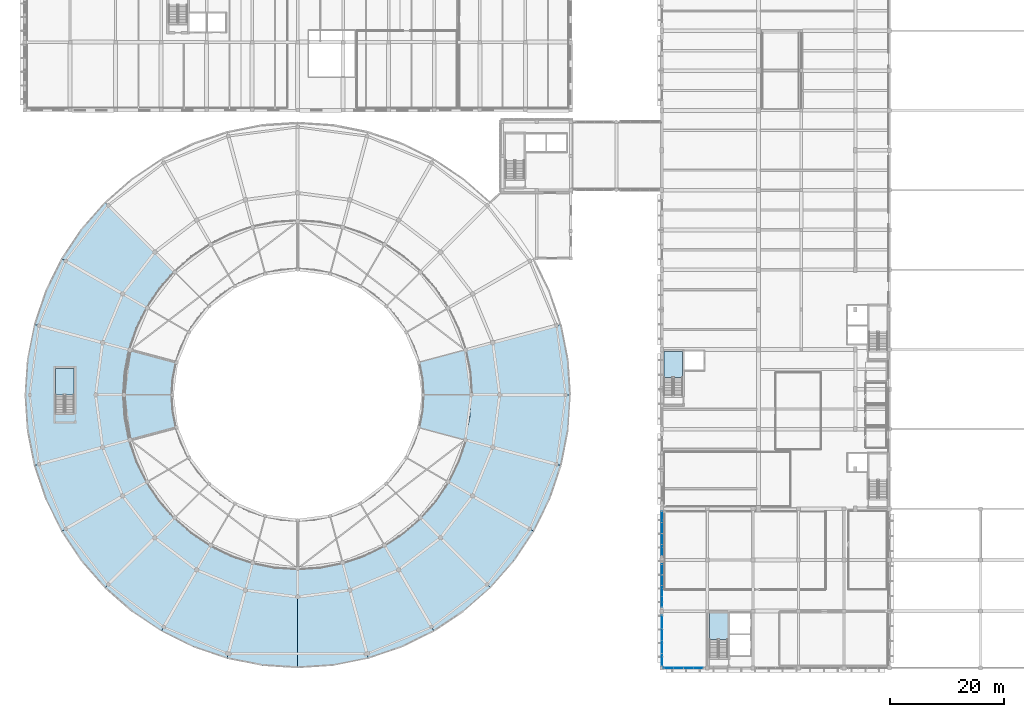
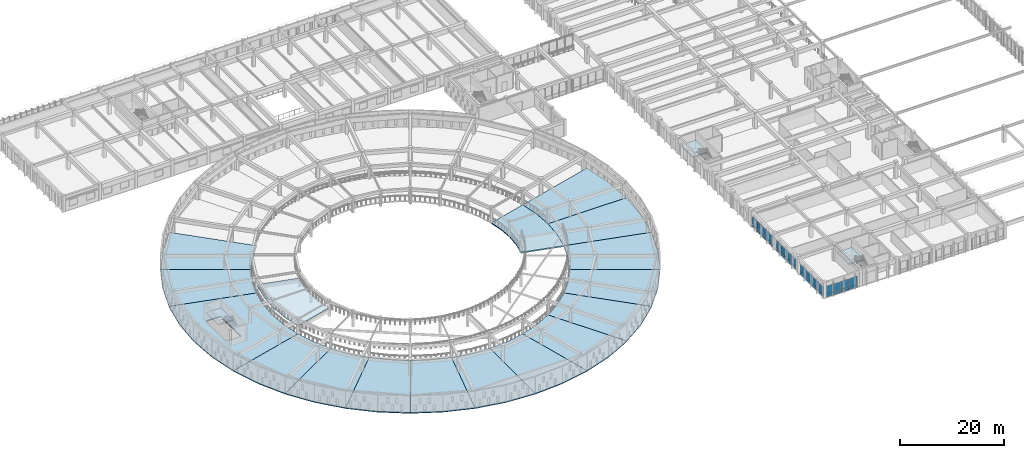
# One storey, part 47 of 98: 32 plates, 20 slabs, 7 elements without a shape of their own.
"""IFC4 building model written with IfcOpenShell, lengths in metres."""

import ifcopenshell
import ifcopenshell.guid

model = None  # the IFC model being written
_history = None  # IfcOwnerHistory: only IFC2X3 demands one
_inside = {}  # id of a spatial element -> (the spatial element, [elements in it])
_under = {}  # id of a project, library or spatial element -> (it, [spatial elements below it])
_declared = {}  # id of a project -> (the project, [libraries it declares])
_typed = {}  # id of a type object -> (the type object, [elements of that type])
_made_of = {}  # id of a material, layer set ... -> (it, [elements and type objects made of it])


def new_model(schema):
    """Start an empty IFC model of exactly this schema.

    Asked for "IFC4X3", IfcOpenShell would pick the latest addendum, in which some entities
    have other attributes; the version numbers below select the first issue.
    IFC2X3 requires an IfcOwnerHistory on every rooted entity: one is made here for all.
    """
    global model, _history
    if schema == "IFC4X3":
        model = ifcopenshell.file(schema_version=(4, 3, 0, 0))
    else:
        model = ifcopenshell.file(schema=schema)
    _inside.clear()
    _under.clear()
    _declared.clear()
    _typed.clear()
    _made_of.clear()
    _history = None
    if model.schema == "IFC2X3":
        org = make("IfcOrganization", Name="unknown")
        user = make(
            "IfcPersonAndOrganization",
            ThePerson=make("IfcPerson", FamilyName="unknown"),
            TheOrganization=org,
        )
        app = make(
            "IfcApplication",
            ApplicationDeveloper=org,
            Version="unknown",
            ApplicationFullName="unknown",
            ApplicationIdentifier="unknown",
        )
        _history = make(
            "IfcOwnerHistory",
            OwningUser=user,
            OwningApplication=app,
            ChangeAction="ADDED",
            CreationDate=0,
        )
    return model


def make(cls, **values):
    """One entity of the class cls with the attributes given. An attribute that is None is left unset."""
    return model.create_entity(
        cls, **{name: value for name, value in values.items() if value is not None}
    )


def rooted(cls, **values):
    """An entity with a GlobalId (a new one), such as an element, a storey or a relation."""
    return make(cls, GlobalId=ifcopenshell.guid.new(), OwnerHistory=_history, **values)


def si_unit(unit_type, name, prefix=None):
    """IfcSIUnit, for example si_unit("LENGTHUNIT", "METRE", prefix="MILLI")."""
    return make("IfcSIUnit", UnitType=unit_type, Prefix=prefix, Name=name)


def assignment(units):
    """IfcUnitAssignment: the units of a project."""
    return None if units is None else make("IfcUnitAssignment", Units=units)


def point(xyz):
    """IfcCartesianPoint."""
    return None if xyz is None else make("IfcCartesianPoint", Coordinates=xyz)


def direction(xyz):
    """IfcDirection."""
    return None if xyz is None else make("IfcDirection", DirectionRatios=xyz)


def frame(location, z_axis=None, x_axis=None):
    """IfcAxis2Placement3D, a coordinate frame: its origin and axes. An axis left out is left unset."""
    return make(
        "IfcAxis2Placement3D",
        Location=point(location),
        Axis=direction(z_axis),
        RefDirection=direction(x_axis),
    )


def frame_2d(location, x_axis=None):
    """IfcAxis2Placement2D, a coordinate frame in the plane: its origin and x axis."""
    return make(
        "IfcAxis2Placement2D", Location=point(location), RefDirection=direction(x_axis)
    )


def origin():
    """The frame at (0, 0, 0) with its axes left unset."""
    return frame((0.0, 0.0, 0.0))


def origin_2d():
    """The frame at (0, 0) in the plane with its x axis left unset."""
    return frame_2d((0.0, 0.0))


def place(relative_to, where):
    """IfcLocalPlacement: puts the frame where relative to a parent placement (None: the world)."""
    return make(
        "IfcLocalPlacement", PlacementRelTo=relative_to, RelativePlacement=where
    )


def context(
    kind, dimensions, precision=None, world=None, true_north=None, identifier=None
):
    """IfcGeometricRepresentationContext, for example the 3D "Model" context."""
    return make(
        "IfcGeometricRepresentationContext",
        ContextIdentifier=identifier,
        ContextType=kind,
        CoordinateSpaceDimension=dimensions,
        Precision=precision,
        WorldCoordinateSystem=world,
        TrueNorth=true_north,
    )


def subcontext(parent, identifier, kind, view, scale=None):
    """IfcGeometricRepresentationSubContext, for example "Body" below "Model"."""
    return make(
        "IfcGeometricRepresentationSubContext",
        ContextIdentifier=identifier,
        ContextType=kind,
        ParentContext=parent,
        TargetScale=scale,
        TargetView=view,
    )


def project(units=None, contexts=None):
    """IfcProject with its units and contexts."""
    return rooted(
        "IfcProject",
        Name="project",
        RepresentationContexts=contexts,
        UnitsInContext=assignment(units),
    )


def spatial(cls, under=None, at=None, **own):
    """A site, building, storey or space (cls), placed at a placement, below another one or the project."""
    s = rooted(cls, ObjectPlacement=at, **own)
    if under is not None:
        _under.setdefault(under.id(), (under, []))[1].append(s)
    return s


def polyline(points):
    """IfcPolyline through the points."""
    return make("IfcPolyline", Points=[point(p) for p in points])


def profile(cls, at=None, kind="AREA", **sizes):
    """A parametric profile (cls). Its sizes go by their IFC names, for example OverallWidth=200.0."""
    return make(cls, ProfileType=kind, Position=at, **sizes)


def rectangle(**sizes):
    """IfcRectangleProfileDef."""
    return profile("IfcRectangleProfileDef", **sizes)


def outline(outer, holes=None, kind="AREA"):
    """IfcArbitraryClosedProfileDef: a profile drawn as a closed curve; with holes, ...WithVoids."""
    if holes is None:
        return make("IfcArbitraryClosedProfileDef", ProfileType=kind, OuterCurve=outer)
    return make(
        "IfcArbitraryProfileDefWithVoids",
        ProfileType=kind,
        OuterCurve=outer,
        InnerCurves=holes,
    )


def extrude(swept, where, along, depth):
    """IfcExtrudedAreaSolid: the profile swept, set in the frame where, extruded along a direction by depth."""
    return make(
        "IfcExtrudedAreaSolid",
        SweptArea=swept,
        Position=where,
        ExtrudedDirection=direction(along),
        Depth=depth,
    )


def shape(context_of_items, identifier, shape_type, items):
    """IfcShapeRepresentation: the items that make up one representation, for example the "Body"."""
    return make(
        "IfcShapeRepresentation",
        ContextOfItems=context_of_items,
        RepresentationIdentifier=identifier,
        RepresentationType=shape_type,
        Items=items,
    )


def material(Name=None, Category=None):
    """IfcMaterial."""
    return make("IfcMaterial", Name=Name, Category=Category)


def layer(
    of_material, thickness, ventilated=None, Name=None, Category=None, Priority=None
):
    """IfcMaterialLayer: one layer of a wall or slab, of a material (None: an air gap)."""
    return make(
        "IfcMaterialLayer",
        Material=of_material,
        LayerThickness=thickness,
        IsVentilated=ventilated,
        Name=Name,
        Category=Category,
        Priority=Priority,
    )


def layer_set(layers, Name=None):
    """IfcMaterialLayerSet."""
    return make("IfcMaterialLayerSet", MaterialLayers=layers, LayerSetName=Name)


def made_of(thing, what):
    """Note that an element or type object is made of a material, layer set ...; save() writes the relation."""
    if what is not None:
        _made_of.setdefault(what.id(), (what, []))[1].append(thing)
    return thing


def type_object(cls, material=None, **own):
    """A type object (cls), such as IfcWallType, which elements share."""
    return made_of(rooted(cls, **own), material)


def element(
    cls,
    number,
    at=None,
    inside=None,
    cuts=None,
    type_object=None,
    material=None,
    context=None,
    identifier="Body",
    shape_type=None,
    held_by="IfcProductDefinitionShape",
    body=None,
    shapes=None,
    **own,
):
    """One element of the class cls, such as IfcWall. Its Tag is "e" and its number.

    at: its placement. inside: the storey or other place that contains it. cuts: it is an
    opening in that element (IfcRelVoidsElement). A single representation is given by context,
    identifier, shape_type and body (its items); several are given by shapes. held_by: the class
    of the entity that holds the representations. save() writes the other relations.
    """
    e = rooted(cls, Tag="e%d" % number, ObjectPlacement=at, **own)
    if body is not None:
        shapes = [shape(context, identifier, shape_type, body)]
    if shapes is not None:
        e.Representation = make(held_by, Representations=shapes)
    if inside is not None:
        _inside.setdefault(inside.id(), (inside, []))[1].append(e)
    if cuts is not None:
        rooted(
            "IfcRelVoidsElement", RelatingBuildingElement=cuts, RelatedOpeningElement=e
        )
    if type_object is not None:
        _typed.setdefault(type_object.id(), (type_object, []))[1].append(e)
    return made_of(e, material)


def aggregate(whole, parts):
    """IfcRelAggregates: a whole, such as a stair, and the parts it consists of."""
    return rooted("IfcRelAggregates", RelatingObject=whole, RelatedObjects=parts)


def save(model, path):
    """Write the relations noted so far, then the file.

    IfcRelAggregates (storeys below a building ...), IfcRelContainedInSpatialStructure (elements
    in a storey), IfcRelDefinesByType, IfcRelAssociatesMaterial and IfcRelDeclares: one each for
    every whole, place, type object, material and project.
    """
    for whole, parts in _under.values():
        aggregate(whole, parts)
    for where, things in _inside.values():
        rooted(
            "IfcRelContainedInSpatialStructure",
            RelatedElements=things,
            RelatingStructure=where,
        )
    for kind, things in _typed.values():
        rooted("IfcRelDefinesByType", RelatedObjects=things, RelatingType=kind)
    for what, things in _made_of.values():
        rooted("IfcRelAssociatesMaterial", RelatedObjects=things, RelatingMaterial=what)
    for by, libraries in _declared.values():
        rooted("IfcRelDeclares", RelatingContext=by, RelatedDefinitions=libraries)
    model.write(path)


model = new_model("IFC4")

# Units and contexts
model_context = context("Model", 3, precision=1e-05, world=origin(), true_north=direction((0.0, 1.0)))
body_context = subcontext(model_context, "Body", "Model", "MODEL_VIEW")
ifc_project = project(units=[si_unit("LENGTHUNIT", "METRE"), si_unit("AREAUNIT", "SQUARE_METRE"), si_unit("VOLUMEUNIT", "CUBIC_METRE"), si_unit("PLANEANGLEUNIT", "RADIAN"), si_unit("MASSUNIT", "GRAM", prefix="KILO")], contexts=[model_context])

# Site, building, storey
site_placement = place(None, origin())
site = spatial("IfcSite", under=ifc_project, at=site_placement, CompositionType="ELEMENT")
building_placement = place(site_placement, origin())
building = spatial("IfcBuilding", under=site, at=building_placement, Name="Larkveld Mobility Hub", CompositionType="ELEMENT")
storey_placement = place(building_placement, frame((0.0, 0.0, 4.5)))
storey = spatial("IfcBuildingStorey", under=building, at=storey_placement, Name="L01", CompositionType="ELEMENT", Elevation=4.5)

# Curtain wall, plates
ifc_material_1 = material(Name="Anodised aluminium 6063-T6", Category="aluminium")
curtain_wall_type_1 = type_object("IfcCurtainWallType", Name="CW-SYS-10", PredefinedType="NOTDEFINED", material=ifc_material_1)
curtain_wall_1_placement = place(storey_placement, origin())
curtain_wall_1 = element("IfcCurtainWall", 1, at=curtain_wall_1_placement, inside=storey, type_object=curtain_wall_type_1, Name="Service Centre South Curtain Wall L01 CW-094", PredefinedType="NOTDEFINED")
ifc_material_2 = material(Name="Low-E laminated solar-control double glazing", Category="glass")
ifc_layer_1 = layer(ifc_material_2, 0.028076171875, Name="Low-E laminated solar-control double glazing", Category="glass")
ifc_layer_set_1 = layer_set([ifc_layer_1], Name="Low-E laminated solar-control double glazing")
plate_type_1 = type_object("IfcPlateType", Name="CW-PNL-GL01", PredefinedType="CURTAIN_PANEL", material=ifc_layer_set_1)
plate_1_placement = place(storey_placement, frame((113.220947265625, 0.0, 0.669921875), z_axis=(0.0, 0.0, 1.0), x_axis=(1.0, 0.0, 0.0)))
plate_1 = element("IfcPlate", 2, at=plate_1_placement, type_object=plate_type_1, Name="CW10 panel 1", PredefinedType="CURTAIN_PANEL", context=body_context, shape_type="SweptSolid", body=[
    extrude(rectangle(XDim=1.69091796875, YDim=0.028076171875, at=origin_2d()), origin(), (0.0, 0.0, 1.0), 1.97802734375),
])
plate_2_placement = place(storey_placement, frame((114.930908203125, 0.0, 0.669921875), z_axis=(0.0, 0.0, 1.0), x_axis=(1.0, 0.0, 0.0)))
plate_2 = element("IfcPlate", 3, at=plate_2_placement, type_object=plate_type_1, Name="CW10 panel 2", PredefinedType="CURTAIN_PANEL", context=body_context, shape_type="SweptSolid", body=[
    extrude(rectangle(XDim=1.7109375, YDim=0.028076171875, at=origin_2d()), origin(), (0.0, 0.0, 1.0), 1.97802734375),
])
plate_3_placement = place(storey_placement, frame((116.653076171875, 0.0, 0.669921875), z_axis=(0.0, 0.0, 1.0), x_axis=(1.0, 0.0, 0.0)))
plate_3 = element("IfcPlate", 4, at=plate_3_placement, type_object=plate_type_1, Name="CW10 panel 3", PredefinedType="CURTAIN_PANEL", context=body_context, shape_type="SweptSolid", body=[
    extrude(rectangle(XDim=1.7109375, YDim=0.028076171875, at=origin_2d()), origin(), (0.0, 0.0, 1.0), 1.97802734375),
])
plate_4_placement = place(storey_placement, frame((118.364013671875, 0.0, 0.669921875), z_axis=(0.0, 0.0, 1.0), x_axis=(1.0, 0.0, 0.0)))
plate_4 = element("IfcPlate", 5, at=plate_4_placement, type_object=plate_type_1, Name="CW10 panel 4", PredefinedType="CURTAIN_PANEL", context=body_context, shape_type="SweptSolid", body=[
    extrude(rectangle(XDim=1.69091796875, YDim=0.028076171875, at=origin_2d()), origin(), (0.0, 0.0, 1.0), 1.97802734375),
])

curtain_wall_type_2 = type_object("IfcCurtainWallType", Name="CW-SYS-04", PredefinedType="NOTDEFINED", material=ifc_material_1)
curtain_wall_2_placement = place(storey_placement, origin())
curtain_wall_2 = element("IfcCurtainWall", 6, at=curtain_wall_2_placement, inside=storey, type_object=curtain_wall_type_2, Name="Public Passage East Service Facade L01 CW-100", PredefinedType="NOTDEFINED")
plate_5_placement = place(storey_placement, frame((112.0, 8.114013671875, 0.62744140625), z_axis=(0.0, 0.0, 1.0), x_axis=(0.0, -1.0, 0.0)))
plate_5 = element("IfcPlate", 7, at=plate_5_placement, type_object=plate_type_1, Name="CW04 panel 1", PredefinedType="CURTAIN_PANEL", context=body_context, shape_type="SweptSolid", body=[
    extrude(rectangle(XDim=2.19091796875, YDim=0.028076171875, at=origin_2d()), origin(), (0.0, 0.0, 1.0), 1.85107421875),
])
plate_6_placement = place(storey_placement, frame((112.0, 5.903076171875, 0.62744140625), z_axis=(0.0, 0.0, 1.0), x_axis=(0.0, -1.0, 0.0)))
plate_6 = element("IfcPlate", 8, at=plate_6_placement, type_object=plate_type_1, Name="CW04 panel 2", PredefinedType="CURTAIN_PANEL", context=body_context, shape_type="SweptSolid", body=[
    extrude(rectangle(XDim=2.2109375, YDim=0.028076171875, at=origin_2d()), origin(), (0.0, 0.0, 1.0), 1.85107421875),
])
plate_7_placement = place(storey_placement, frame((112.0, 3.680908203125, 0.62744140625), z_axis=(0.0, 0.0, 1.0), x_axis=(0.0, -1.0, 0.0)))
plate_7 = element("IfcPlate", 9, at=plate_7_placement, type_object=plate_type_1, Name="CW04 panel 3", PredefinedType="CURTAIN_PANEL", context=body_context, shape_type="SweptSolid", body=[
    extrude(rectangle(XDim=2.2109375, YDim=0.028076171875, at=origin_2d()), origin(), (0.0, 0.0, 1.0), 1.85107421875),
])
plate_8_placement = place(storey_placement, frame((112.0, 1.469970703125, 0.62744140625), z_axis=(0.0, 0.0, 1.0), x_axis=(0.0, -1.0, 0.0)))
plate_8 = element("IfcPlate", 10, at=plate_8_placement, type_object=plate_type_1, Name="CW04 panel 4", PredefinedType="CURTAIN_PANEL", context=body_context, shape_type="SweptSolid", body=[
    extrude(rectangle(XDim=2.19091796875, YDim=0.028076171875, at=origin_2d()), origin(), (0.0, 0.0, 1.0), 1.85107421875),
])

curtain_wall_type_3 = type_object("IfcCurtainWallType", Name="CW-SYS-02", PredefinedType="NOTDEFINED", material=ifc_material_1)
curtain_wall_3_placement = place(storey_placement, origin())
curtain_wall_3 = element("IfcCurtainWall", 11, at=curtain_wall_3_placement, inside=storey, type_object=curtain_wall_type_3, Name="Public Passage East Service Facade L01 CW-098", PredefinedType="NOTDEFINED")
ifc_material_3 = material(Name="Acoustic solar-control laminated double glazing", Category="glass")
ifc_layer_2 = layer(ifc_material_3, 0.031982421875, Name="Acoustic solar-control laminated double glazing", Category="glass")
ifc_layer_set_2 = layer_set([ifc_layer_2], Name="Acoustic solar-control laminated double glazing")
plate_type_2 = type_object("IfcPlateType", Name="CW-PNL-GL02", PredefinedType="CURTAIN_PANEL", material=ifc_layer_set_2)
plate_9_placement = place(storey_placement, frame((112.0, 26.55810546875, 0.62744140625), z_axis=(0.0, 0.0, 1.0), x_axis=(0.0, -1.0, 0.0)))
plate_9 = element("IfcPlate", 12, at=plate_9_placement, type_object=plate_type_2, Name="CW02 panel 1", PredefinedType="CURTAIN_PANEL", context=body_context, shape_type="SweptSolid", body=[
    extrude(rectangle(XDim=1.9140625, YDim=0.031982421875, at=origin_2d()), origin(), (0.0, 0.0, 1.0), 1.85107421875),
])
plate_10_placement = place(storey_placement, frame((112.0, 24.6240234375, 0.62744140625), z_axis=(0.0, 0.0, 1.0), x_axis=(0.0, -1.0, 0.0)))
plate_10 = element("IfcPlate", 13, at=plate_10_placement, type_object=plate_type_2, Name="CW02 panel 2", PredefinedType="CURTAIN_PANEL", context=body_context, shape_type="SweptSolid", body=[
    extrude(rectangle(XDim=1.93408203125, YDim=0.031982421875, at=origin_2d()), origin(), (0.0, 0.0, 1.0), 1.85107421875),
])
plate_11_placement = place(storey_placement, frame((112.0, 22.680908203125, 0.62744140625), z_axis=(0.0, 0.0, 1.0), x_axis=(0.0, -1.0, 0.0)))
plate_11 = element("IfcPlate", 14, at=plate_11_placement, type_object=plate_type_2, Name="CW02 panel 3", PredefinedType="CURTAIN_PANEL", context=body_context, shape_type="SweptSolid", body=[
    extrude(rectangle(XDim=1.93408203125, YDim=0.031982421875, at=origin_2d()), origin(), (0.0, 0.0, 1.0), 1.85107421875),
])
plate_12_placement = place(storey_placement, frame((112.0, 20.7470703125, 0.62744140625), z_axis=(0.0, 0.0, 1.0), x_axis=(0.0, -1.0, 0.0)))
plate_12 = element("IfcPlate", 15, at=plate_12_placement, type_object=plate_type_2, Name="CW02 panel 4", PredefinedType="CURTAIN_PANEL", context=body_context, shape_type="SweptSolid", body=[
    extrude(rectangle(XDim=1.9140625, YDim=0.031982421875, at=origin_2d()), origin(), (0.0, 0.0, 1.0), 1.85107421875),
])

curtain_wall_type_4 = type_object("IfcCurtainWallType", Name="CW-SYS-03", PredefinedType="NOTDEFINED", material=ifc_material_1)
curtain_wall_4_placement = place(storey_placement, origin())
curtain_wall_4 = element("IfcCurtainWall", 16, at=curtain_wall_4_placement, inside=storey, type_object=curtain_wall_type_4, Name="Public Passage East Service Facade L01 CW-099", PredefinedType="NOTDEFINED")
ifc_material_4 = material(Name="Tinted safety double glazing", Category="glass")
ifc_layer_3 = layer(ifc_material_4, 0.035888671875, Name="Tinted safety double glazing", Category="glass")
ifc_layer_set_3 = layer_set([ifc_layer_3], Name="Tinted safety double glazing")
plate_type_3 = type_object("IfcPlateType", Name="CW-PNL-GL03", PredefinedType="CURTAIN_PANEL", material=ifc_layer_set_3)
plate_13_placement = place(storey_placement, frame((112.0, 17.291015625, 0.62744140625), z_axis=(0.0, 0.0, 1.0), x_axis=(0.0, -1.0, 0.0)))
plate_13 = element("IfcPlate", 17, at=plate_13_placement, type_object=plate_type_3, Name="CW03 panel 1", PredefinedType="CURTAIN_PANEL", context=body_context, shape_type="SweptSolid", body=[
    extrude(rectangle(XDim=1.837890625, YDim=0.035888671875, at=origin_2d()), origin(), (0.0, 0.0, 1.0), 1.85107421875),
])
plate_14_placement = place(storey_placement, frame((112.0, 15.43408203125, 0.62744140625), z_axis=(0.0, 0.0, 1.0), x_axis=(0.0, -1.0, 0.0)))
plate_14 = element("IfcPlate", 18, at=plate_14_placement, type_object=plate_type_3, Name="CW03 panel 2", PredefinedType="CURTAIN_PANEL", context=body_context, shape_type="SweptSolid", body=[
    extrude(rectangle(XDim=1.85791015625, YDim=0.035888671875, at=origin_2d()), origin(), (0.0, 0.0, 1.0), 1.85107421875),
])
plate_15_placement = place(storey_placement, frame((112.0, 13.56591796875, 0.62744140625), z_axis=(0.0, 0.0, 1.0), x_axis=(0.0, -1.0, 0.0)))
plate_15 = element("IfcPlate", 19, at=plate_15_placement, type_object=plate_type_3, Name="CW03 panel 3", PredefinedType="CURTAIN_PANEL", context=body_context, shape_type="SweptSolid", body=[
    extrude(rectangle(XDim=1.85791015625, YDim=0.035888671875, at=origin_2d()), origin(), (0.0, 0.0, 1.0), 1.85107421875),
])
plate_16_placement = place(storey_placement, frame((112.0, 11.708984375, 0.62744140625), z_axis=(0.0, 0.0, 1.0), x_axis=(0.0, -1.0, 0.0)))
plate_16 = element("IfcPlate", 20, at=plate_16_placement, type_object=plate_type_3, Name="CW03 panel 4", PredefinedType="CURTAIN_PANEL", context=body_context, shape_type="SweptSolid", body=[
    extrude(rectangle(XDim=1.837890625, YDim=0.035888671875, at=origin_2d()), origin(), (0.0, 0.0, 1.0), 1.85107421875),
])
ifc_material_5 = material(Name="Insulated fluoropolymer aluminium spandrel", Category="aluminium")
ifc_layer_4 = layer(ifc_material_5, 0.06494140625, Name="Insulated fluoropolymer aluminium spandrel", Category="aluminium")
ifc_layer_set_4 = layer_set([ifc_layer_4], Name="Insulated fluoropolymer aluminium spandrel")
plate_type_4 = type_object("IfcPlateType", Name="CW-PNL-SP01", PredefinedType="CURTAIN_PANEL", material=ifc_layer_set_4)
plate_17_placement = place(storey_placement, frame((112.0, 17.291015625, 0.00048828125), z_axis=(0.0, 0.0, 1.0), x_axis=(0.0, -1.0, 0.0)))
plate_17 = element("IfcPlate", 21, at=plate_17_placement, type_object=plate_type_4, Name="CW03 spandrel 1", PredefinedType="CURTAIN_PANEL", context=body_context, shape_type="SweptSolid", body=[
    extrude(rectangle(XDim=1.837890625, YDim=0.06494140625, at=origin_2d()), origin(), (0.0, 0.0, 1.0), 0.614990234375),
])
plate_18_placement = place(storey_placement, frame((112.0, 15.43408203125, 0.00048828125), z_axis=(0.0, 0.0, 1.0), x_axis=(0.0, -1.0, 0.0)))
plate_18 = element("IfcPlate", 22, at=plate_18_placement, type_object=plate_type_4, Name="CW03 spandrel 2", PredefinedType="CURTAIN_PANEL", context=body_context, shape_type="SweptSolid", body=[
    extrude(rectangle(XDim=1.85791015625, YDim=0.06494140625, at=origin_2d()), origin(), (0.0, 0.0, 1.0), 0.614990234375),
])
plate_19_placement = place(storey_placement, frame((112.0, 13.56591796875, 0.00048828125), z_axis=(0.0, 0.0, 1.0), x_axis=(0.0, -1.0, 0.0)))
plate_19 = element("IfcPlate", 23, at=plate_19_placement, type_object=plate_type_4, Name="CW03 spandrel 3", PredefinedType="CURTAIN_PANEL", context=body_context, shape_type="SweptSolid", body=[
    extrude(rectangle(XDim=1.85791015625, YDim=0.06494140625, at=origin_2d()), origin(), (0.0, 0.0, 1.0), 0.614990234375),
])
plate_20_placement = place(storey_placement, frame((112.0, 11.708984375, 0.00048828125), z_axis=(0.0, 0.0, 1.0), x_axis=(0.0, -1.0, 0.0)))
plate_20 = element("IfcPlate", 24, at=plate_20_placement, type_object=plate_type_4, Name="CW03 spandrel 4", PredefinedType="CURTAIN_PANEL", context=body_context, shape_type="SweptSolid", body=[
    extrude(rectangle(XDim=1.837890625, YDim=0.06494140625, at=origin_2d()), origin(), (0.0, 0.0, 1.0), 0.614990234375),
])
aggregate(curtain_wall_4, [plate_17, plate_13, plate_18, plate_14, plate_19, plate_15, plate_20, plate_16])

# Plate
ifc_material_6 = material(Name="Insulated terracotta-toned aluminium spandrel", Category="masonry")
ifc_layer_5 = layer(ifc_material_6, 0.080078125, Name="Insulated terracotta-toned aluminium spandrel", Category="masonry")
ifc_layer_set_5 = layer_set([ifc_layer_5], Name="Insulated terracotta-toned aluminium spandrel")
plate_type_5 = type_object("IfcPlateType", Name="CW-PNL-SP02", PredefinedType="CURTAIN_PANEL", material=ifc_layer_set_5)
plate_21_placement = place(storey_placement, frame((113.220947265625, 0.0, 0.00048828125), z_axis=(0.0, 0.0, 1.0), x_axis=(1.0, 0.0, 0.0)))
plate_21 = element("IfcPlate", 25, at=plate_21_placement, type_object=plate_type_5, Name="CW10 spandrel 1", PredefinedType="CURTAIN_PANEL", context=body_context, shape_type="SweptSolid", body=[
    extrude(rectangle(XDim=1.69091796875, YDim=0.080078125, at=origin_2d()), origin(), (0.0, 0.0, 1.0), 0.656982421875),
])

plate_22_placement = place(storey_placement, frame((114.930908203125, 0.0, 0.00048828125), z_axis=(0.0, 0.0, 1.0), x_axis=(1.0, 0.0, 0.0)))
plate_22 = element("IfcPlate", 26, at=plate_22_placement, type_object=plate_type_5, Name="CW10 spandrel 2", PredefinedType="CURTAIN_PANEL", context=body_context, shape_type="SweptSolid", body=[
    extrude(rectangle(XDim=1.7109375, YDim=0.080078125, at=origin_2d()), origin(), (0.0, 0.0, 1.0), 0.656982421875),
])

plate_23_placement = place(storey_placement, frame((116.653076171875, 0.0, 0.00048828125), z_axis=(0.0, 0.0, 1.0), x_axis=(1.0, 0.0, 0.0)))
plate_23 = element("IfcPlate", 27, at=plate_23_placement, type_object=plate_type_5, Name="CW10 spandrel 3", PredefinedType="CURTAIN_PANEL", context=body_context, shape_type="SweptSolid", body=[
    extrude(rectangle(XDim=1.7109375, YDim=0.080078125, at=origin_2d()), origin(), (0.0, 0.0, 1.0), 0.656982421875),
])

plate_24_placement = place(storey_placement, frame((118.364013671875, 0.0, 0.00048828125), z_axis=(0.0, 0.0, 1.0), x_axis=(1.0, 0.0, 0.0)))
plate_24 = element("IfcPlate", 28, at=plate_24_placement, type_object=plate_type_5, Name="CW10 spandrel 4", PredefinedType="CURTAIN_PANEL", context=body_context, shape_type="SweptSolid", body=[
    extrude(rectangle(XDim=1.69091796875, YDim=0.080078125, at=origin_2d()), origin(), (0.0, 0.0, 1.0), 0.656982421875),
])

aggregate(curtain_wall_1, [plate_21, plate_1, plate_22, plate_2, plate_23, plate_3, plate_24, plate_4])

plate_25_placement = place(storey_placement, frame((112.0, 26.55810546875, 0.00048828125), z_axis=(0.0, 0.0, 1.0), x_axis=(0.0, -1.0, 0.0)))
plate_25 = element("IfcPlate", 29, at=plate_25_placement, type_object=plate_type_5, Name="CW02 spandrel 1", PredefinedType="CURTAIN_PANEL", context=body_context, shape_type="SweptSolid", body=[
    extrude(rectangle(XDim=1.9140625, YDim=0.080078125, at=origin_2d()), origin(), (0.0, 0.0, 1.0), 0.614990234375),
])

plate_26_placement = place(storey_placement, frame((112.0, 24.6240234375, 0.00048828125), z_axis=(0.0, 0.0, 1.0), x_axis=(0.0, -1.0, 0.0)))
plate_26 = element("IfcPlate", 30, at=plate_26_placement, type_object=plate_type_5, Name="CW02 spandrel 2", PredefinedType="CURTAIN_PANEL", context=body_context, shape_type="SweptSolid", body=[
    extrude(rectangle(XDim=1.93408203125, YDim=0.080078125, at=origin_2d()), origin(), (0.0, 0.0, 1.0), 0.614990234375),
])

plate_27_placement = place(storey_placement, frame((112.0, 22.680908203125, 0.00048828125), z_axis=(0.0, 0.0, 1.0), x_axis=(0.0, -1.0, 0.0)))
plate_27 = element("IfcPlate", 31, at=plate_27_placement, type_object=plate_type_5, Name="CW02 spandrel 3", PredefinedType="CURTAIN_PANEL", context=body_context, shape_type="SweptSolid", body=[
    extrude(rectangle(XDim=1.93408203125, YDim=0.080078125, at=origin_2d()), origin(), (0.0, 0.0, 1.0), 0.614990234375),
])

plate_28_placement = place(storey_placement, frame((112.0, 20.7470703125, 0.00048828125), z_axis=(0.0, 0.0, 1.0), x_axis=(0.0, -1.0, 0.0)))
plate_28 = element("IfcPlate", 32, at=plate_28_placement, type_object=plate_type_5, Name="CW02 spandrel 4", PredefinedType="CURTAIN_PANEL", context=body_context, shape_type="SweptSolid", body=[
    extrude(rectangle(XDim=1.9140625, YDim=0.080078125, at=origin_2d()), origin(), (0.0, 0.0, 1.0), 0.614990234375),
])

aggregate(curtain_wall_3, [plate_25, plate_9, plate_26, plate_10, plate_27, plate_11, plate_28, plate_12])

plate_29_placement = place(storey_placement, frame((112.0, 8.114013671875, 0.00048828125), z_axis=(0.0, 0.0, 1.0), x_axis=(0.0, -1.0, 0.0)))
plate_29 = element("IfcPlate", 33, at=plate_29_placement, type_object=plate_type_5, Name="CW04 spandrel 1", PredefinedType="CURTAIN_PANEL", context=body_context, shape_type="SweptSolid", body=[
    extrude(rectangle(XDim=2.19091796875, YDim=0.080078125, at=origin_2d()), origin(), (0.0, 0.0, 1.0), 0.614990234375),
])

plate_30_placement = place(storey_placement, frame((112.0, 5.903076171875, 0.00048828125), z_axis=(0.0, 0.0, 1.0), x_axis=(0.0, -1.0, 0.0)))
plate_30 = element("IfcPlate", 34, at=plate_30_placement, type_object=plate_type_5, Name="CW04 spandrel 2", PredefinedType="CURTAIN_PANEL", context=body_context, shape_type="SweptSolid", body=[
    extrude(rectangle(XDim=2.2109375, YDim=0.080078125, at=origin_2d()), origin(), (0.0, 0.0, 1.0), 0.614990234375),
])

plate_31_placement = place(storey_placement, frame((112.0, 3.680908203125, 0.00048828125), z_axis=(0.0, 0.0, 1.0), x_axis=(0.0, -1.0, 0.0)))
plate_31 = element("IfcPlate", 35, at=plate_31_placement, type_object=plate_type_5, Name="CW04 spandrel 3", PredefinedType="CURTAIN_PANEL", context=body_context, shape_type="SweptSolid", body=[
    extrude(rectangle(XDim=2.2109375, YDim=0.080078125, at=origin_2d()), origin(), (0.0, 0.0, 1.0), 0.614990234375),
])

plate_32_placement = place(storey_placement, frame((112.0, 1.469970703125, 0.00048828125), z_axis=(0.0, 0.0, 1.0), x_axis=(0.0, -1.0, 0.0)))
plate_32 = element("IfcPlate", 36, at=plate_32_placement, type_object=plate_type_5, Name="CW04 spandrel 4", PredefinedType="CURTAIN_PANEL", context=body_context, shape_type="SweptSolid", body=[
    extrude(rectangle(XDim=2.19091796875, YDim=0.080078125, at=origin_2d()), origin(), (0.0, 0.0, 1.0), 0.614990234375),
])

aggregate(curtain_wall_2, [plate_29, plate_5, plate_30, plate_6, plate_31, plate_7, plate_32, plate_8])

# Slabs
ifc_material_7 = material(Name="Concrete C40/50", Category="concrete")
ifc_layer_6 = layer(ifc_material_7, 0.260009765625, Name="Concrete C40/50", Category="concrete")
ifc_layer_set_6 = layer_set([ifc_layer_6], Name="Concrete C40/50")
slab_type_1 = type_object("IfcSlabType", Name="SL-CON-260", PredefinedType="FLOOR", material=ifc_layer_set_6)
slab_1_placement = place(storey_placement, frame((0.0, 0.0, -0.260009765625)))
element("IfcSlab", 37, at=slab_1_placement, inside=storey, type_object=slab_type_1, Name="Helical Ramp Throat Landing L01 East L01-158", PredefinedType="FLOOR", context=body_context, shape_type="SweptSolid", body=[
    extrude(outline(polyline([(77.4609375, 40.10595703125), (78.239013671875, 44.01904296875), (78.5, 48.0), (78.239013671875, 51.98095703125), (77.4609375, 55.89404296875), (69.25, 53.694091796875), (69.81201171875, 50.8720703125), (70.0, 48.0), (69.81201171875, 45.1279296875), (69.25, 42.305908203125), (77.4609375, 40.10595703125)])), origin(), (0.0, 0.0, 1.0), 0.260009765625),
])
slab_2_placement = place(storey_placement, frame((0.0, 0.0, 1.68994140625)))
element("IfcSlab", 38, at=slab_2_placement, inside=storey, type_object=slab_type_1, Name="Helical Ramp Mid Landing L01 West L01-159", PredefinedType="FLOOR", context=body_context, shape_type="SweptSolid", body=[
    extrude(outline(polyline([(18.5390625, 55.89404296875), (17.760986328125, 51.98095703125), (17.5, 48.0), (17.760986328125, 44.01904296875), (18.5390625, 40.10595703125), (26.75, 42.305908203125), (26.18798828125, 45.1279296875), (26.0, 48.0), (26.18798828125, 50.8720703125), (26.75, 53.694091796875), (18.5390625, 55.89404296875)])), origin(), (0.0, 0.0, 1.0), 0.260009765625),
])
ifc_layer_7 = layer(ifc_material_7, 0.239990234375, Name="Concrete C40/50", Category="concrete")
ifc_layer_set_7 = layer_set([ifc_layer_7], Name="Concrete C40/50")
slab_type_2 = type_object("IfcSlabType", Name="SL-DRM-240", PredefinedType="FLOOR", material=ifc_layer_set_7)
slab_3_placement = place(storey_placement, frame((0.0, 0.0, -0.239990234375)))
element("IfcSlab", 39, at=slab_3_placement, inside=storey, type_object=slab_type_2, Name="Drum Parking Deck Slab L01-030", PredefinedType="FLOOR", context=body_context, shape_type="SweptSolid", body=[
    extrude(outline(polyline([(95.919921875, 48.0), (95.510009765625, 54.2548828125), (94.287109375, 60.403076171875), (77.4609375, 55.89404296875), (78.239013671875, 51.98095703125), (78.5, 48.0), (95.919921875, 48.0)])), origin(), (0.0, 0.0, 1.0), 0.239990234375),
])
slab_4_placement = place(storey_placement, frame((0.0, 0.0, -0.239990234375)))
element("IfcSlab", 40, at=slab_4_placement, inside=storey, type_object=slab_type_2, Name="Drum Parking Deck Slab L01-040", PredefinedType="FLOOR", context=body_context, shape_type="SweptSolid", body=[
    extrude(outline(polyline([(6.5, 71.9599609375), (3.72802734375, 66.337890625), (1.712890625, 60.403076171875), (18.5390625, 55.89404296875), (19.822021484375, 59.672119140625), (21.5859375, 63.25), (6.5, 71.9599609375)])), origin(), (0.0, 0.0, 1.0), 0.239990234375),
])
slab_5_placement = place(storey_placement, frame((0.0, 0.0, -0.239990234375)))
element("IfcSlab", 41, at=slab_5_placement, inside=storey, type_object=slab_type_2, Name="Drum Parking Deck Slab L01-043", PredefinedType="FLOOR", context=body_context, shape_type="SweptSolid", body=[
    extrude(outline(polyline([(6.5, 24.0400390625), (9.98291015625, 18.827880859375), (14.114990234375, 14.114990234375), (26.43310546875, 26.43310546875), (23.802978515625, 29.43310546875), (21.5859375, 32.75), (6.5, 24.0400390625)])), origin(), (0.0, 0.0, 1.0), 0.239990234375),
])
slab_6_placement = place(storey_placement, frame((0.0, 0.0, -0.239990234375)))
element("IfcSlab", 42, at=slab_6_placement, inside=storey, type_object=slab_type_2, Name="Drum Parking Deck Slab L01-045", PredefinedType="FLOOR", context=body_context, shape_type="SweptSolid", body=[
    extrude(outline(polyline([(24.0400390625, 6.5), (29.662109375, 3.72802734375), (35.596923828125, 1.712890625), (40.10595703125, 18.5390625), (36.327880859375, 19.822021484375), (32.75, 21.5859375), (24.0400390625, 6.5)])), origin(), (0.0, 0.0, 1.0), 0.239990234375),
])
slab_7_placement = place(storey_placement, frame((0.0, 0.0, -0.239990234375)))
element("IfcSlab", 43, at=slab_7_placement, inside=storey, type_object=slab_type_2, Name="Drum Parking Deck Slab L01-047", PredefinedType="FLOOR", context=body_context, shape_type="SweptSolid", body=[
    extrude(outline(polyline([(48.0, 0.080078125), (54.2548828125, 0.489990234375), (60.403076171875, 1.712890625), (55.89404296875, 18.5390625), (51.98095703125, 17.760986328125), (48.0, 17.5), (48.0, 0.080078125)])), origin(), (0.0, 0.0, 1.0), 0.239990234375),
])
slab_8_placement = place(storey_placement, frame((0.0, 0.0, -0.239990234375)))
element("IfcSlab", 44, at=slab_8_placement, inside=storey, type_object=slab_type_2, Name="Drum Parking Deck Slab L01-049", PredefinedType="FLOOR", context=body_context, shape_type="SweptSolid", body=[
    extrude(outline(polyline([(71.9599609375, 6.5), (77.172119140625, 9.98291015625), (81.885009765625, 14.114990234375), (69.56689453125, 26.43310546875), (66.56689453125, 23.802978515625), (63.25, 21.5859375), (71.9599609375, 6.5)])), origin(), (0.0, 0.0, 1.0), 0.239990234375),
])
slab_9_placement = place(storey_placement, frame((0.0, 0.0, -0.239990234375)))
element("IfcSlab", 45, at=slab_9_placement, inside=storey, type_object=slab_type_2, Name="Drum Parking Deck Slab L01-051", PredefinedType="FLOOR", context=body_context, shape_type="SweptSolid", body=[
    extrude(outline(polyline([(89.5, 24.0400390625), (92.27197265625, 29.662109375), (94.287109375, 35.596923828125), (77.4609375, 40.10595703125), (76.177978515625, 36.327880859375), (74.4140625, 32.75), (89.5, 24.0400390625)])), origin(), (0.0, 0.0, 1.0), 0.239990234375),
])
ifc_layer_8 = layer(ifc_material_7, 0.25, Name="Concrete C40/50", Category="concrete")
ifc_layer_set_8 = layer_set([ifc_layer_8], Name="Concrete C40/50")
slab_type_3 = type_object("IfcSlabType", Name="SL-FLR-250", PredefinedType="FLOOR", material=ifc_layer_set_8)
slab_10_placement = place(storey_placement, frame((0.0, 0.0, -0.25)))
element("IfcSlab", 46, at=slab_10_placement, inside=storey, type_object=slab_type_3, Name="Drum Parking Deck Slab L01-039", PredefinedType="FLOOR", context=body_context, shape_type="SweptSolid", body=[
    extrude(outline(polyline([(14.114990234375, 81.885009765625), (9.98291015625, 77.172119140625), (6.5, 71.9599609375), (21.5859375, 63.25), (23.802978515625, 66.56689453125), (26.43310546875, 69.56689453125), (14.114990234375, 81.885009765625)])), origin(), (0.0, 0.0, 1.0), 0.25),
])
slab_11_placement = place(storey_placement, frame((0.0, 0.0, -0.25)))
element("IfcSlab", 47, at=slab_11_placement, inside=storey, type_object=slab_type_3, Name="Drum Parking Deck Slab L01-041", PredefinedType="FLOOR", context=body_context, shape_type="SweptSolid", body=[
    extrude(outline(polyline([(1.712890625, 60.403076171875), (0.489990234375, 54.2548828125), (0.080078125, 48.0), (0.489990234375, 41.7451171875), (1.712890625, 35.596923828125), (18.5390625, 40.10595703125), (17.760986328125, 44.01904296875), (17.5, 48.0), (17.760986328125, 51.98095703125), (18.5390625, 55.89404296875), (1.712890625, 60.403076171875)]), holes=[polyline([(5.449951171875, 44.89990234375), (5.449951171875, 52.64990234375), (8.699951171875, 52.64990234375), (8.699951171875, 44.89990234375), (5.449951171875, 44.89990234375)])]), origin(), (0.0, 0.0, 1.0), 0.25),
])
slab_12_placement = place(storey_placement, frame((0.0, 0.0, -0.25)))
element("IfcSlab", 48, at=slab_12_placement, inside=storey, type_object=slab_type_3, Name="Drum Parking Deck Slab L01-042", PredefinedType="FLOOR", context=body_context, shape_type="SweptSolid", body=[
    extrude(outline(polyline([(1.712890625, 35.596923828125), (3.72802734375, 29.662109375), (6.5, 24.0400390625), (21.5859375, 32.75), (19.822021484375, 36.327880859375), (18.5390625, 40.10595703125), (1.712890625, 35.596923828125)])), origin(), (0.0, 0.0, 1.0), 0.25),
])
slab_13_placement = place(storey_placement, frame((0.0, 0.0, -0.25)))
element("IfcSlab", 49, at=slab_13_placement, inside=storey, type_object=slab_type_3, Name="Drum Parking Deck Slab L01-044", PredefinedType="FLOOR", context=body_context, shape_type="SweptSolid", body=[
    extrude(outline(polyline([(14.114990234375, 14.114990234375), (18.827880859375, 9.98291015625), (24.0400390625, 6.5), (32.75, 21.5859375), (29.43310546875, 23.802978515625), (26.43310546875, 26.43310546875), (14.114990234375, 14.114990234375)])), origin(), (0.0, 0.0, 1.0), 0.25),
])
slab_14_placement = place(storey_placement, frame((0.0, 0.0, -0.25)))
element("IfcSlab", 50, at=slab_14_placement, inside=storey, type_object=slab_type_3, Name="Drum Parking Deck Slab L01-046", PredefinedType="FLOOR", context=body_context, shape_type="SweptSolid", body=[
    extrude(outline(polyline([(35.596923828125, 1.712890625), (41.7451171875, 0.489990234375), (48.0, 0.080078125), (48.0, 17.5), (44.01904296875, 17.760986328125), (40.10595703125, 18.5390625), (35.596923828125, 1.712890625)])), origin(), (0.0, 0.0, 1.0), 0.25),
])
slab_15_placement = place(storey_placement, frame((0.0, 0.0, -0.25)))
element("IfcSlab", 51, at=slab_15_placement, inside=storey, type_object=slab_type_3, Name="Drum Parking Deck Slab L01-048", PredefinedType="FLOOR", context=body_context, shape_type="SweptSolid", body=[
    extrude(outline(polyline([(60.403076171875, 1.712890625), (66.337890625, 3.72802734375), (71.9599609375, 6.5), (63.25, 21.5859375), (59.672119140625, 19.822021484375), (55.89404296875, 18.5390625), (60.403076171875, 1.712890625)])), origin(), (0.0, 0.0, 1.0), 0.25),
])
slab_16_placement = place(storey_placement, frame((0.0, 0.0, -0.25)))
element("IfcSlab", 52, at=slab_16_placement, inside=storey, type_object=slab_type_3, Name="Drum Parking Deck Slab L01-050", PredefinedType="FLOOR", context=body_context, shape_type="SweptSolid", body=[
    extrude(outline(polyline([(81.885009765625, 14.114990234375), (86.01708984375, 18.827880859375), (89.5, 24.0400390625), (74.4140625, 32.75), (72.197021484375, 29.43310546875), (69.56689453125, 26.43310546875), (81.885009765625, 14.114990234375)])), origin(), (0.0, 0.0, 1.0), 0.25),
])
slab_17_placement = place(storey_placement, frame((0.0, 0.0, -0.25)))
element("IfcSlab", 53, at=slab_17_placement, inside=storey, type_object=slab_type_3, Name="Drum Parking Deck Slab L01-052", PredefinedType="FLOOR", context=body_context, shape_type="SweptSolid", body=[
    extrude(outline(polyline([(94.287109375, 35.596923828125), (95.510009765625, 41.7451171875), (95.919921875, 48.0), (78.5, 48.0), (78.239013671875, 44.01904296875), (77.4609375, 40.10595703125), (94.287109375, 35.596923828125)])), origin(), (0.0, 0.0, 1.0), 0.25),
])

# Stair, slab
stair_type_1 = type_object("IfcStairType", Name="ST-HT-03", PredefinedType="HALF_TURN_STAIR", material=ifc_material_7)
stair_1_placement = place(storey_placement, origin())
stair_1 = element("IfcStair", 54, at=stair_1_placement, inside=storey, type_object=stair_type_1, Name="L01 Protected Escape Stair ST3", PredefinedType="HALF_TURN_STAIR")
ifc_layer_9 = layer(ifc_material_7, 0.195068359375, Name="Concrete C40/50", Category="concrete")
ifc_layer_set_9 = layer_set([ifc_layer_9], Name="Concrete C40/50")
slab_type_4 = type_object("IfcSlabType", Name="SL-LND-03", PredefinedType="LANDING", material=ifc_layer_set_9)
slab_18_placement = place(storey_placement, frame((0.0, 0.0, 1.7548828125)))
slab_18 = element("IfcSlab", 55, at=slab_18_placement, type_object=slab_type_4, Name="ST3 landing 1", PredefinedType="LANDING", context=body_context, shape_type="SweptSolid", body=[
    extrude(outline(polyline([(115.639892578125, 51.054931640625), (115.639892578125, 55.64990234375), (112.35009765625, 55.64990234375), (112.35009765625, 51.054931640625), (115.639892578125, 51.054931640625)])), origin(), (0.0, 0.0, 1.0), 0.195068359375),
])
aggregate(stair_1, [slab_18])

stair_type_2 = type_object("IfcStairType", Name="ST-HT-04", PredefinedType="HALF_TURN_STAIR", material=ifc_material_7)
stair_2_placement = place(storey_placement, origin())
stair_2 = element("IfcStair", 56, at=stair_2_placement, inside=storey, type_object=stair_type_2, Name="L01 Protected Escape Stair ST4", PredefinedType="HALF_TURN_STAIR")
ifc_layer_10 = layer(ifc_material_7, 0.205078125, Name="Concrete C40/50", Category="concrete")
ifc_layer_set_10 = layer_set([ifc_layer_10], Name="Concrete C40/50")
slab_type_5 = type_object("IfcSlabType", Name="SL-LND-04", PredefinedType="LANDING", material=ifc_layer_set_10)
slab_19_placement = place(storey_placement, frame((0.0, 0.0, 1.7451171875)))
slab_19 = element("IfcSlab", 57, at=slab_19_placement, type_object=slab_type_5, Name="ST4 landing 1", PredefinedType="LANDING", context=body_context, shape_type="SweptSolid", body=[
    extrude(outline(polyline([(123.60009765625, 5.034912109375), (123.60009765625, 9.64990234375), (120.35009765625, 9.64990234375), (120.35009765625, 5.034912109375), (123.60009765625, 5.034912109375)])), origin(), (0.0, 0.0, 1.0), 0.204833984375),
])
aggregate(stair_2, [slab_19])

stair_type_3 = type_object("IfcStairType", Name="ST-HT-07", PredefinedType="HALF_TURN_STAIR", material=ifc_material_7)
stair_3_placement = place(storey_placement, origin())
stair_3 = element("IfcStair", 58, at=stair_3_placement, inside=storey, type_object=stair_type_3, Name="L01 Protected Escape Stair ST7", PredefinedType="HALF_TURN_STAIR")
ifc_layer_11 = layer(ifc_material_7, 0.235107421875, Name="Concrete C40/50", Category="concrete")
ifc_layer_set_11 = layer_set([ifc_layer_11], Name="Concrete C40/50")
slab_type_6 = type_object("IfcSlabType", Name="SL-LND-07", PredefinedType="LANDING", material=ifc_layer_set_11)
slab_20_placement = place(storey_placement, frame((0.0, 0.0, 1.715087890625)))
slab_20 = element("IfcSlab", 59, at=slab_20_placement, type_object=slab_type_6, Name="ST7 landing 1", PredefinedType="LANDING", context=body_context, shape_type="SweptSolid", body=[
    extrude(outline(polyline([(8.699951171875, 48.034912109375), (8.699951171875, 52.64990234375), (5.449951171875, 52.64990234375), (5.449951171875, 48.034912109375), (8.699951171875, 48.034912109375)])), origin(), (0.0, 0.0, 1.0), 0.23486328125),
])
aggregate(stair_3, [slab_20])

save(model, "model.ifc")
